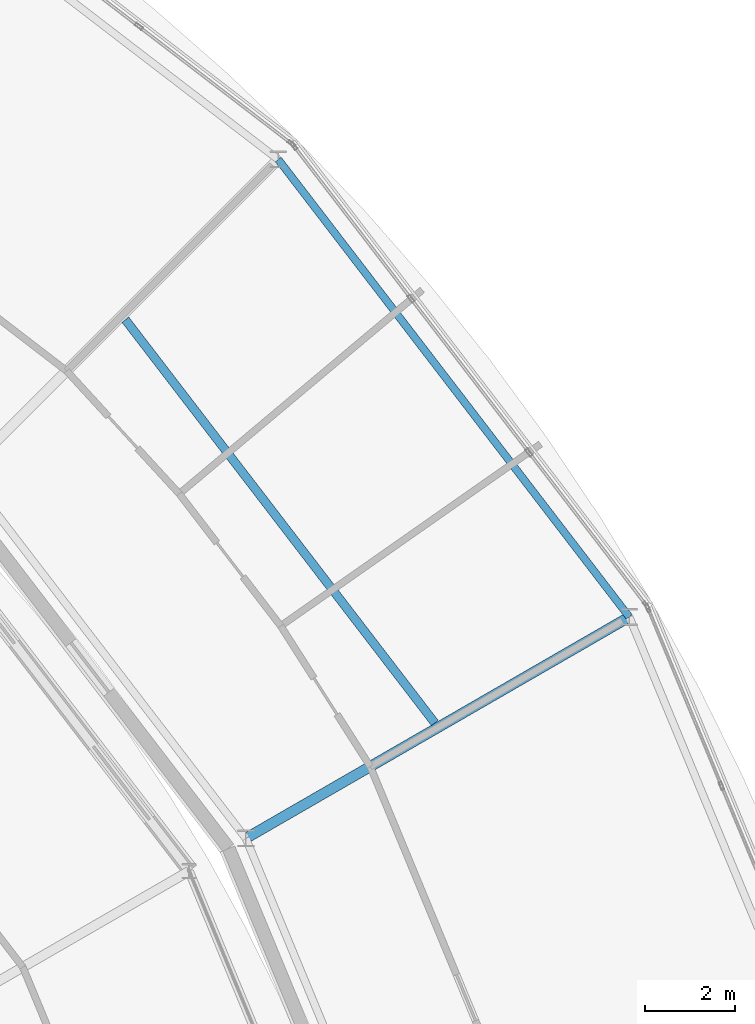
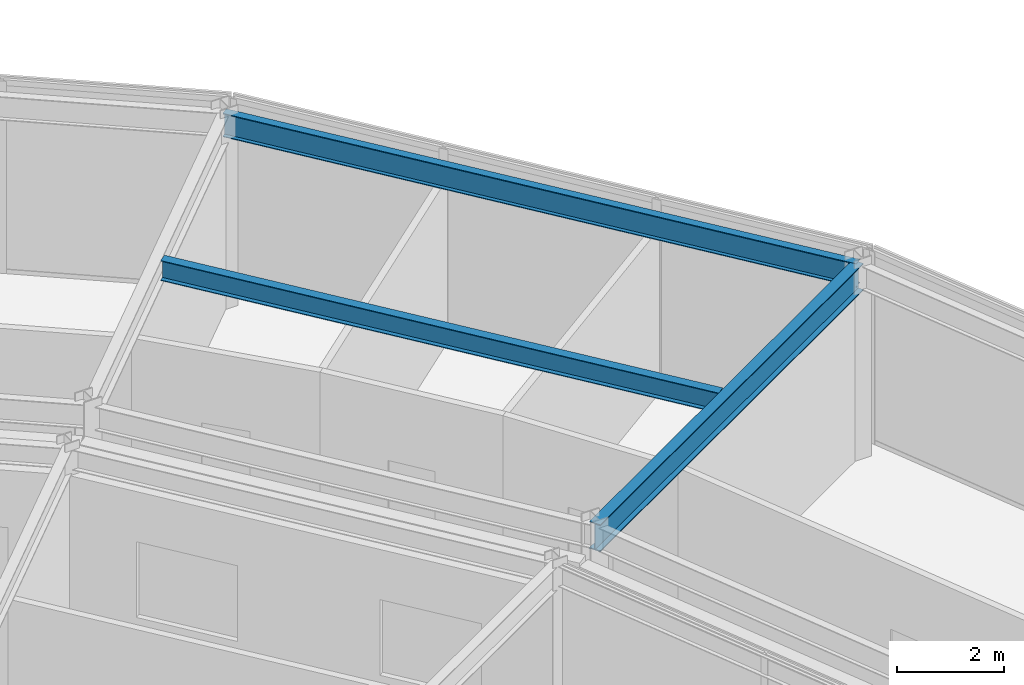
# One storey, part 80 of 157: 3 beams.
"""IFC4 building model written with IfcOpenShell, lengths in metres."""

from ifc_helpers import new_model, si_unit, direction, frame, origin, origin_2d, place, context, subcontext, project, spatial, i_section, extrude, material, material_profile, profile_set, type_object, element, save


model = new_model("IFC4")

# Units and contexts
model_context = context("Model", 3, precision=1e-05, world=origin(), true_north=direction((0.0, 1.0)))
body_context = subcontext(model_context, "Body", "Model", "MODEL_VIEW")
ifc_project = project(units=[si_unit("LENGTHUNIT", "METRE"), si_unit("AREAUNIT", "SQUARE_METRE"), si_unit("VOLUMEUNIT", "CUBIC_METRE"), si_unit("PLANEANGLEUNIT", "RADIAN"), si_unit("MASSUNIT", "GRAM", prefix="KILO")], contexts=[model_context])

# Site, building, storey
site_placement = place(None, origin())
site = spatial("IfcSite", under=ifc_project, at=site_placement, CompositionType="ELEMENT")
building_placement = place(site_placement, origin())
building = spatial("IfcBuilding", under=site, at=building_placement, Name="Almandine Court Research Institute", CompositionType="ELEMENT")
storey_placement = place(building_placement, frame((0.0, 0.0, 5.25)))
storey = spatial("IfcBuildingStorey", under=building, at=storey_placement, Name="L01", CompositionType="ELEMENT", Elevation=5.25)

# Beams
ifc_material = material(Name="Steel ASTM A992 Grade 50", Category="steel")
ifc_material_profile_1 = material_profile(ifc_material, i_section(OverallWidth=0.18994140625, OverallDepth=0.45703125, WebThickness=0.009033203125, FlangeThickness=0.014892578125, at=origin_2d()), Name="W460x74")
ifc_profile_set_1 = profile_set([ifc_material_profile_1], Name="Steel ASTM A992 Grade 50")
beam_type_1 = type_object("IfcBeamType", Name="Beam-B-01", PredefinedType="BEAM", material=ifc_profile_set_1)
beam_1_placement = place(storey_placement, frame((125.044921875, 78.10400390625, 4.14111328125), z_axis=(-0.608773677202, 0.793343941772, 0.0), x_axis=(-0.793343941772, -0.608773677202, 0.0)))
element("IfcBeam", 1, at=beam_1_placement, inside=storey, type_object=beam_type_1, Name="L01 Drum MID Ring Beam 02", PredefinedType="BEAM", context=body_context, shape_type="SweptSolid", body=[
    extrude(i_section(OverallWidth=0.18994140625, OverallDepth=0.45703125, WebThickness=0.009033203125, FlangeThickness=0.014892578125, at=origin_2d()), origin(), (0.0, 0.0, 1.0), 11.248779296875),
])
ifc_material_profile_2 = material_profile(ifc_material, i_section(OverallWidth=0.22998046875, OverallDepth=0.616943359375, WebThickness=0.012939453125, FlangeThickness=0.02197265625, at=origin_2d()), Name="W610x140")
ifc_profile_set_2 = profile_set([ifc_material_profile_2], Name="Steel ASTM A992 Grade 50")
beam_type_2 = type_object("IfcBeamType", Name="Beam-G-02", PredefinedType="BEAM", material=ifc_profile_set_2)
beam_2_placement = place(storey_placement, frame((120.862060546875, 75.550048828125, 4.06103515625), z_axis=(0.866030014362, 0.49999201416, 0.0), x_axis=(-0.49999201416, 0.866030014362, 0.0)))
element("IfcBeam", 2, at=beam_2_placement, inside=storey, type_object=beam_type_2, Name="L01 Drum Radial Girder 02", PredefinedType="BEAM", context=body_context, shape_type="SweptSolid", body=[
    extrude(i_section(OverallWidth=0.22998046875, OverallDepth=0.616943359375, WebThickness=0.012939453125, FlangeThickness=0.02197265625, at=origin_2d()), origin(), (0.0, 0.0, 1.0), 9.800048828125),
])
ifc_material_profile_3 = material_profile(ifc_material, i_section(OverallWidth=0.166015625, OverallDepth=0.534912109375, WebThickness=0.010009765625, FlangeThickness=0.01708984375, at=origin_2d()), Name="W530x85")
ifc_profile_set_3 = profile_set([ifc_material_profile_3], Name="Steel ASTM A992 Grade 50")
beam_type_3 = type_object("IfcBeamType", Name="Beam-G-05-E", PredefinedType="SPANDREL", material=ifc_profile_set_3)
beam_3_placement = place(storey_placement, frame((129.34912109375, 80.449951171875, 4.10205078125), z_axis=(-0.608751886289, 0.793360662587, 0.0), x_axis=(-0.793360662587, -0.608751886289, 0.0)))
element("IfcBeam", 3, at=beam_3_placement, inside=storey, type_object=beam_type_3, Name="L01 Drum OUT Ring Beam 02", PredefinedType="SPANDREL", context=body_context, shape_type="SweptSolid", body=[
    extrude(i_section(OverallWidth=0.166015625, OverallDepth=0.534912109375, WebThickness=0.010009765625, FlangeThickness=0.01708984375, at=origin_2d()), origin(), (0.0, 0.0, 1.0), 12.765869140625),
])

save(model, "model.ifc")
